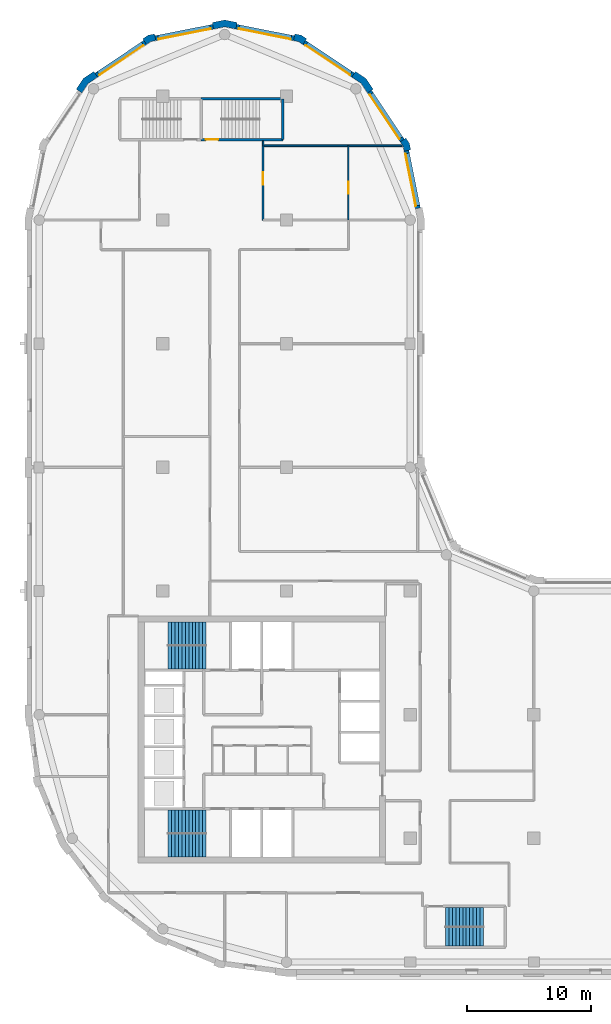
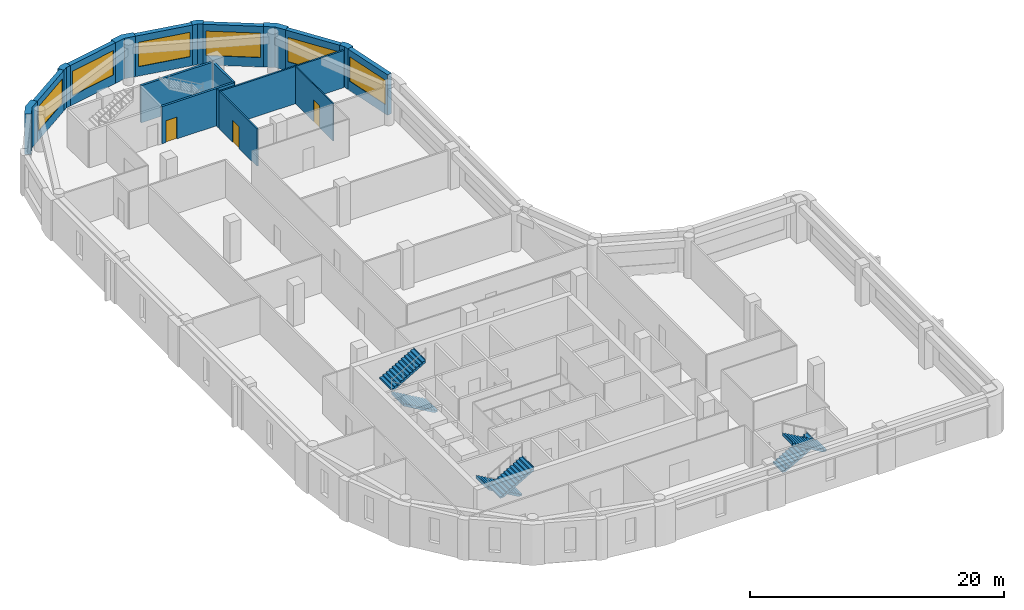
# One storey, part 6 of 9: 19 walls, 6 stair flights, 6 windows, 3 doors, 9 openings, 3 elements without a shape of their own.
"""IFC4 building model written with IfcOpenShell, lengths in metres."""

from ifc_helpers import new_model, si_unit, direction, frame, frame_2d, origin, place, context, subcontext, project, spatial, polyline, rectangle, outline, extrude, material, layer, layer_set, type_object, element, fill, aggregate, save


model = new_model("IFC4")

# Units and contexts
model_context = context("Model", 3, precision=1e-05, world=origin(), true_north=direction((0.0, 1.0)))
body_context = subcontext(model_context, "Body", "Model", "MODEL_VIEW")
ifc_project = project(units=[si_unit("LENGTHUNIT", "METRE"), si_unit("AREAUNIT", "SQUARE_METRE"), si_unit("VOLUMEUNIT", "CUBIC_METRE"), si_unit("PLANEANGLEUNIT", "RADIAN"), si_unit("MASSUNIT", "GRAM", prefix="KILO")], contexts=[model_context])

# Site, building, storey
site_placement = place(None, origin())
site = spatial("IfcSite", under=ifc_project, at=site_placement, CompositionType="ELEMENT")
building_placement = place(site_placement, origin())
building = spatial("IfcBuilding", under=site, at=building_placement, Name="Qaws Garden Tower", CompositionType="ELEMENT")
storey_placement = place(building_placement, frame((0.0, 0.0, 267.0)))
storey = spatial("IfcBuildingStorey", under=building, at=storey_placement, Name="L64", CompositionType="ELEMENT", Elevation=267.0)

# Wall, opening, window
ifc_material_1 = material(Name="Clay facing brick masonry", Category="masonry")
ifc_layer_1 = layer(ifc_material_1, 0.39990234375)
ifc_layer_set_1 = layer_set([ifc_layer_1], Name="Clay facing brick masonry")
wall_type_1 = type_object("IfcWallType", Name="Brick infill wall 400", PredefinedType="SOLIDWALL", material=ifc_layer_set_1)
wall_1_placement = place(storey_placement, frame((30.628662109375, 60.940673828125, 0.0), z_axis=(0.0, 0.0, 1.0), x_axis=(-0.195098533057, 0.98078364709, 0.0)))
wall_1 = element("IfcWall", 1, at=wall_1_placement, inside=storey, type_object=wall_type_1, Name="E-L64-infill-11", PredefinedType="SOLIDWALL", context=body_context, shape_type="SweptSolid", body=[
    extrude(rectangle(XDim=4.752685546875, YDim=0.39990234375, at=frame_2d((2.37646484375, 0.0))), origin(), (0.0, 0.0, 1.0), 3.89990234375),
])
opening_1_placement = place(wall_1_placement, frame((0.226318359375, 0.0, 0.89990234375)))
opening_1 = element("IfcOpeningElement", 2, at=opening_1_placement, cuts=wall_1, Name="Opening W06", PredefinedType="OPENING", context=body_context, shape_type="SweptSolid", body=[
    extrude(rectangle(XDim=4.300048828125, YDim=2.35009765625, at=frame_2d((2.14990234375, 1.175048828125))), frame((0.0, 0.2099609375, 0.0), z_axis=(0.0, -1.0, 0.0), x_axis=(1.0, 0.0, 0.0)), (0.0, 0.0, 1.0), 0.419921875),
])
ifc_material_2 = material(Name="Aluminium framed window, clear glazing", Category="aluminium")
window_type = type_object("IfcWindowType", Name="Ribbon window 4300 x 2350", PartitioningType="DOUBLE_PANEL_VERTICAL", PredefinedType="WINDOW", material=ifc_material_2)
window_1_placement = place(opening_1_placement, origin())
window_1 = element("IfcWindow", 3, at=window_1_placement, inside=storey, type_object=window_type, Name="E-L64-window-11-0", OverallHeight=2.35009765625, OverallWidth=4.300048828125, PartitioningType="SINGLE_PANEL", PredefinedType="WINDOW", context=body_context, shape_type="SweptSolid", body=[
    extrude(rectangle(XDim=4.300048828125, YDim=2.35009765625, at=frame_2d((2.14990234375, 1.175048828125))), frame((0.0, 0.159912109375, 0.0), z_axis=(0.0, -1.0, 0.0), x_axis=(1.0, 0.0, 0.0)), (0.0, 0.0, 1.0), 0.06005859375),
])
fill(opening_1, window_1)

wall_2_placement = place(storey_placement, frame((29.356689453125, 66.43408203125, 0.0), z_axis=(0.0, 0.0, 1.0), x_axis=(-0.555541552266, 0.831488775454, 0.0)))
wall_2 = element("IfcWall", 4, at=wall_2_placement, inside=storey, type_object=wall_type_1, Name="E-L64-infill-12", PredefinedType="SOLIDWALL", context=body_context, shape_type="SweptSolid", body=[
    extrude(rectangle(XDim=4.752685546875, YDim=0.39990234375, at=frame_2d((2.37646484375, 0.0))), origin(), (0.0, 0.0, 1.0), 3.89990234375),
])
opening_2_placement = place(wall_2_placement, frame((0.226318359375, 0.0, 0.89990234375)))
opening_2 = element("IfcOpeningElement", 5, at=opening_2_placement, cuts=wall_2, Name="Opening W06", PredefinedType="OPENING", context=body_context, shape_type="SweptSolid", body=[
    extrude(rectangle(XDim=4.300048828125, YDim=2.35009765625, at=frame_2d((2.14990234375, 1.175048828125))), frame((0.0, 0.2099609375, 0.0), z_axis=(0.0, -1.0, 0.0), x_axis=(1.0, 0.0, 0.0)), (0.0, 0.0, 1.0), 0.419921875),
])
window_2_placement = place(opening_2_placement, origin())
window_2 = element("IfcWindow", 6, at=window_2_placement, inside=storey, type_object=window_type, Name="E-L64-window-12-0", OverallHeight=2.35009765625, OverallWidth=4.300048828125, PartitioningType="SINGLE_PANEL", PredefinedType="WINDOW", context=body_context, shape_type="SweptSolid", body=[
    extrude(rectangle(XDim=4.300048828125, YDim=2.35009765625, at=frame_2d((2.14990234375, 1.175048828125))), frame((0.0, 0.159912109375, 0.0), z_axis=(0.0, -1.0, 0.0), x_axis=(1.0, 0.0, 0.0)), (0.0, 0.0, 1.0), 0.06005859375),
])
fill(opening_2, window_2)

wall_3_placement = place(storey_placement, frame((25.385986328125, 71.71630859375, 0.0), z_axis=(0.0, 0.0, 1.0), x_axis=(-0.831488775454, 0.555541552266, 0.0)))
wall_3 = element("IfcWall", 7, at=wall_3_placement, inside=storey, type_object=wall_type_1, Name="E-L64-infill-13", PredefinedType="SOLIDWALL", context=body_context, shape_type="SweptSolid", body=[
    extrude(rectangle(XDim=4.752685546875, YDim=0.39990234375, at=frame_2d((2.37646484375, 0.0))), origin(), (0.0, 0.0, 1.0), 3.89990234375),
])
opening_3_placement = place(wall_3_placement, frame((0.226318359375, 0.0, 0.89990234375)))
opening_3 = element("IfcOpeningElement", 8, at=opening_3_placement, cuts=wall_3, Name="Opening W06", PredefinedType="OPENING", context=body_context, shape_type="SweptSolid", body=[
    extrude(rectangle(XDim=4.300048828125, YDim=2.35009765625, at=frame_2d((2.14990234375, 1.175048828125))), frame((0.0, 0.2099609375, 0.0), z_axis=(0.0, -1.0, 0.0), x_axis=(1.0, 0.0, 0.0)), (0.0, 0.0, 1.0), 0.419921875),
])
window_3_placement = place(opening_3_placement, origin())
window_3 = element("IfcWindow", 9, at=window_3_placement, inside=storey, type_object=window_type, Name="E-L64-window-13-0", OverallHeight=2.35009765625, OverallWidth=4.300048828125, PartitioningType="SINGLE_PANEL", PredefinedType="WINDOW", context=body_context, shape_type="SweptSolid", body=[
    extrude(rectangle(XDim=4.300048828125, YDim=2.35009765625, at=frame_2d((2.14990234375, 1.175048828125))), frame((0.0, 0.159912109375, 0.0), z_axis=(0.0, -1.0, 0.0), x_axis=(1.0, 0.0, 0.0)), (0.0, 0.0, 1.0), 0.06005859375),
])
fill(opening_3, window_3)

wall_4_placement = place(storey_placement, frame((20.60205078125, 74.701416015625, 0.0), z_axis=(0.0, 0.0, 1.0), x_axis=(-0.98078364709, 0.195098533057, 0.0)))
wall_4 = element("IfcWall", 10, at=wall_4_placement, inside=storey, type_object=wall_type_1, Name="E-L64-infill-14", PredefinedType="SOLIDWALL", context=body_context, shape_type="SweptSolid", body=[
    extrude(rectangle(XDim=4.752685546875, YDim=0.39990234375, at=frame_2d((2.37646484375, 0.0))), origin(), (0.0, 0.0, 1.0), 3.89990234375),
])
opening_4_placement = place(wall_4_placement, frame((0.226318359375, 0.0, 0.89990234375)))
opening_4 = element("IfcOpeningElement", 11, at=opening_4_placement, cuts=wall_4, Name="Opening W06", PredefinedType="OPENING", context=body_context, shape_type="SweptSolid", body=[
    extrude(rectangle(XDim=4.300048828125, YDim=2.35009765625, at=frame_2d((2.14990234375, 1.175048828125))), frame((0.0, 0.2099609375, 0.0), z_axis=(0.0, -1.0, 0.0), x_axis=(1.0, 0.0, 0.0)), (0.0, 0.0, 1.0), 0.419921875),
])
window_4_placement = place(opening_4_placement, origin())
window_4 = element("IfcWindow", 12, at=window_4_placement, inside=storey, type_object=window_type, Name="E-L64-window-14-0", OverallHeight=2.35009765625, OverallWidth=4.300048828125, PartitioningType="SINGLE_PANEL", PredefinedType="WINDOW", context=body_context, shape_type="SweptSolid", body=[
    extrude(rectangle(XDim=4.300048828125, YDim=2.35009765625, at=frame_2d((2.14990234375, 1.175048828125))), frame((0.0, 0.159912109375, 0.0), z_axis=(0.0, -1.0, 0.0), x_axis=(1.0, 0.0, 0.0)), (0.0, 0.0, 1.0), 0.06005859375),
])
fill(opening_4, window_4)

wall_5_placement = place(storey_placement, frame((14.059326171875, 75.628662109375, 0.0), z_axis=(0.0, 0.0, 1.0), x_axis=(-0.98078364709, -0.195098533057, 0.0)))
wall_5 = element("IfcWall", 13, at=wall_5_placement, inside=storey, type_object=wall_type_1, Name="E-L64-infill-15", PredefinedType="SOLIDWALL", context=body_context, shape_type="SweptSolid", body=[
    extrude(rectangle(XDim=4.752685546875, YDim=0.39990234375, at=frame_2d((2.37646484375, 0.0))), origin(), (0.0, 0.0, 1.0), 3.89990234375),
])
opening_5_placement = place(wall_5_placement, frame((0.226318359375, 0.0, 0.89990234375)))
opening_5 = element("IfcOpeningElement", 14, at=opening_5_placement, cuts=wall_5, Name="Opening W06", PredefinedType="OPENING", context=body_context, shape_type="SweptSolid", body=[
    extrude(rectangle(XDim=4.300048828125, YDim=2.35009765625, at=frame_2d((2.14990234375, 1.175048828125))), frame((0.0, 0.2099609375, 0.0), z_axis=(0.0, -1.0, 0.0), x_axis=(1.0, 0.0, 0.0)), (0.0, 0.0, 1.0), 0.419921875),
])
window_5_placement = place(opening_5_placement, origin())
window_5 = element("IfcWindow", 15, at=window_5_placement, inside=storey, type_object=window_type, Name="E-L64-window-15-0", OverallHeight=2.35009765625, OverallWidth=4.300048828125, PartitioningType="SINGLE_PANEL", PredefinedType="WINDOW", context=body_context, shape_type="SweptSolid", body=[
    extrude(rectangle(XDim=4.300048828125, YDim=2.35009765625, at=frame_2d((2.14990234375, 1.175048828125))), frame((0.0, 0.159912109375, 0.0), z_axis=(0.0, -1.0, 0.0), x_axis=(1.0, 0.0, 0.0)), (0.0, 0.0, 1.0), 0.06005859375),
])
fill(opening_5, window_5)

wall_6_placement = place(storey_placement, frame((8.56591796875, 74.356689453125, 0.0), z_axis=(0.0, 0.0, 1.0), x_axis=(-0.831488775454, -0.555541552266, 0.0)))
wall_6 = element("IfcWall", 16, at=wall_6_placement, inside=storey, type_object=wall_type_1, Name="E-L64-infill-16", PredefinedType="SOLIDWALL", context=body_context, shape_type="SweptSolid", body=[
    extrude(rectangle(XDim=4.752685546875, YDim=0.39990234375, at=frame_2d((2.37646484375, 0.0))), origin(), (0.0, 0.0, 1.0), 3.89990234375),
])
opening_6_placement = place(wall_6_placement, frame((0.226318359375, 0.0, 0.89990234375)))
opening_6 = element("IfcOpeningElement", 17, at=opening_6_placement, cuts=wall_6, Name="Opening W06", PredefinedType="OPENING", context=body_context, shape_type="SweptSolid", body=[
    extrude(rectangle(XDim=4.300048828125, YDim=2.35009765625, at=frame_2d((2.14990234375, 1.175048828125))), frame((0.0, 0.2099609375, 0.0), z_axis=(0.0, -1.0, 0.0), x_axis=(1.0, 0.0, 0.0)), (0.0, 0.0, 1.0), 0.419921875),
])
window_6_placement = place(opening_6_placement, origin())
window_6 = element("IfcWindow", 18, at=window_6_placement, inside=storey, type_object=window_type, Name="E-L64-window-16-0", OverallHeight=2.35009765625, OverallWidth=4.300048828125, PartitioningType="SINGLE_PANEL", PredefinedType="WINDOW", context=body_context, shape_type="SweptSolid", body=[
    extrude(rectangle(XDim=4.300048828125, YDim=2.35009765625, at=frame_2d((2.14990234375, 1.175048828125))), frame((0.0, 0.159912109375, 0.0), z_axis=(0.0, -1.0, 0.0), x_axis=(1.0, 0.0, 0.0)), (0.0, 0.0, 1.0), 0.06005859375),
])
fill(opening_6, window_6)

# Walls
ifc_material_3 = material(Name="Clay facing brick masonry", Category="masonry")
ifc_layer_2 = layer(ifc_material_3, 0.550048828125)
ifc_layer_set_2 = layer_set([ifc_layer_2], Name="Clay facing brick masonry")
wall_type_2 = type_object("IfcWallType", Name="Brick kink pier 550 x 600", PredefinedType="SOLIDWALL", material=ifc_layer_set_2)
placement = place(storey_placement, origin())
element("IfcWall", 19, at=placement, inside=storey, type_object=wall_type_2, Name="E-L64-pier-12", PredefinedType="SOLIDWALL", context=body_context, shape_type="SweptSolid", body=[
    extrude(outline(polyline([(29.8974609375, 65.64111328125), (30.044677734375, 65.67041015625), (29.94140625, 66.18896484375), (29.647705078125, 66.628662109375), (29.52294921875, 66.545166015625), (29.1904296875, 66.322998046875), (29.42333984375, 65.974365234375), (29.505126953125, 65.56298828125), (29.8974609375, 65.64111328125)])), origin(), (0.0, 0.0, 1.0), 3.89990234375),
])
element("IfcWall", 20, at=placement, inside=storey, type_object=wall_type_2, Name="E-L64-pier-14", PredefinedType="SOLIDWALL", context=body_context, shape_type="SweptSolid", body=[
    extrude(outline(polyline([(21.545166015625, 74.52294921875), (21.628662109375, 74.647705078125), (21.18896484375, 74.94140625), (20.67041015625, 75.044677734375), (20.64111328125, 74.8974609375), (20.56298828125, 74.505126953125), (20.974365234375, 74.42333984375), (21.322998046875, 74.1904296875), (21.545166015625, 74.52294921875)])), origin(), (0.0, 0.0, 1.0), 3.89990234375),
])
element("IfcWall", 21, at=placement, inside=storey, type_object=wall_type_2, Name="E-L64-pier-16", PredefinedType="SOLIDWALL", context=body_context, shape_type="SweptSolid", body=[
    extrude(outline(polyline([(9.35888671875, 74.8974609375), (9.32958984375, 75.044677734375), (8.81103515625, 74.94140625), (8.371337890625, 74.647705078125), (8.454833984375, 74.52294921875), (8.677001953125, 74.1904296875), (9.025634765625, 74.42333984375), (9.43701171875, 74.505126953125), (9.35888671875, 74.8974609375)])), origin(), (0.0, 0.0, 1.0), 3.89990234375),
])
ifc_material_4 = material(Name="Clay facing brick masonry", Category="masonry")
ifc_layer_3 = layer(ifc_material_4, 0.550048828125)
ifc_layer_set_3 = layer_set([ifc_layer_3], Name="Clay facing brick masonry")
wall_type_3 = type_object("IfcWallType", Name="Brick pier 550 x 1600", PredefinedType="SOLIDWALL", material=ifc_layer_set_3)
element("IfcWall", 22, at=placement, inside=storey, type_object=wall_type_3, Name="E-L64-pier-13", PredefinedType="SOLIDWALL", context=body_context, shape_type="SweptSolid", body=[
    extrude(outline(polyline([(26.882568359375, 70.4970703125), (27.00732421875, 70.580322265625), (26.435791015625, 71.435791015625), (25.580322265625, 72.00732421875), (25.4970703125, 71.882568359375), (25.274658203125, 71.550048828125), (26.0390625, 71.0390625), (26.550048828125, 70.274658203125), (26.882568359375, 70.4970703125)])), origin(), (0.0, 0.0, 1.0), 3.89990234375),
])
element("IfcWall", 23, at=placement, inside=storey, type_object=wall_type_3, Name="E-L64-pier-15", PredefinedType="SOLIDWALL", context=body_context, shape_type="SweptSolid", body=[
    extrude(outline(polyline([(15.979736328125, 75.82470703125), (16.009033203125, 75.971923828125), (15.0, 76.172607421875), (13.990966796875, 75.971923828125), (14.020263671875, 75.82470703125), (14.098388671875, 75.432373046875), (15.0, 75.61181640625), (15.901611328125, 75.432373046875), (15.979736328125, 75.82470703125)])), origin(), (0.0, 0.0, 1.0), 3.89990234375),
])
element("IfcWall", 24, at=placement, inside=storey, type_object=wall_type_3, Name="E-L64-pier-17", PredefinedType="SOLIDWALL", context=body_context, shape_type="SweptSolid", body=[
    extrude(outline(polyline([(4.5029296875, 71.882568359375), (4.419677734375, 72.00732421875), (3.564208984375, 71.435791015625), (2.99267578125, 70.580322265625), (3.117431640625, 70.4970703125), (3.449951171875, 70.274658203125), (3.9609375, 71.0390625), (4.725341796875, 71.550048828125), (4.5029296875, 71.882568359375)])), origin(), (0.0, 0.0, 1.0), 3.89990234375),
])

# Wall, opening, door
ifc_material_5 = material(Name="Concrete C60", Category="concrete")
ifc_layer_4 = layer(ifc_material_5, 0.199951171875)
ifc_layer_set_4 = layer_set([ifc_layer_4], Name="Concrete C60")
wall_type_4 = type_object("IfcWallType", Name="Core shaft wall 200 C60", PredefinedType="SHEAR", material=ifc_layer_set_4)
wall_13_placement = place(storey_placement, frame((13.10009765625, 66.5, 0.0), z_axis=(0.0, 0.0, 1.0), x_axis=(1.0, 0.0, 0.0)))
wall_13 = element("IfcWall", 25, at=wall_13_placement, inside=storey, type_object=wall_type_4, Name="Shaft wall", PredefinedType="SHEAR", context=body_context, shape_type="SweptSolid", body=[
    extrude(rectangle(XDim=6.599853515625, YDim=0.199951171875, at=frame_2d((3.2998046875, 0.0))), origin(), (0.0, 0.0, 1.0), 3.580078125),
])
opening_7_placement = place(wall_13_placement, frame((0.375, 0.0, 0.0)))
opening_7 = element("IfcOpeningElement", 26, at=opening_7_placement, cuts=wall_13, Name="Opening SD14", PredefinedType="OPENING", context=body_context, shape_type="SweptSolid", body=[
    extrude(rectangle(XDim=1.0, YDim=2.10009765625, at=frame_2d((0.5, 1.050048828125))), frame((0.0, 0.10986328125, 0.0), z_axis=(0.0, -1.0, 0.0), x_axis=(1.0, 0.0, 0.0)), (0.0, 0.0, 1.0), 0.219970703125),
])
ifc_material_6 = material(Name="Steel S235", Category="steel")
door_type_1 = type_object("IfcDoorType", Name="Stair door 1000x2100", OperationType="SINGLE_SWING_RIGHT", PredefinedType="DOOR", material=ifc_material_6)
door_1_placement = place(opening_7_placement, origin())
door_1 = element("IfcDoor", 27, at=door_1_placement, inside=storey, type_object=door_type_1, Name="Stair 7 door", OperationType="SINGLE_SWING_LEFT", OverallHeight=2.10009765625, OverallWidth=1.0, PredefinedType="DOOR", context=body_context, shape_type="SweptSolid", body=[
    extrude(rectangle(XDim=1.0, YDim=2.10009765625, at=frame_2d((0.5, 1.050048828125))), frame((0.0, 0.02490234375, 0.0), z_axis=(0.0, -1.0, 0.0), x_axis=(1.0, 0.0, 0.0)), (0.0, 0.0, 1.0), 0.050048828125),
])
fill(opening_7, door_1)

# Walls
wall_14_placement = place(storey_placement, frame((13.10009765625, 69.800048828125, 0.0), z_axis=(0.0, 0.0, 1.0), x_axis=(1.0, 0.0, 0.0)))
element("IfcWall", 28, at=wall_14_placement, inside=storey, type_object=wall_type_4, Name="Shaft wall", PredefinedType="SHEAR", context=body_context, shape_type="SweptSolid", body=[
    extrude(rectangle(XDim=6.599853515625, YDim=0.199951171875, at=frame_2d((3.2998046875, 0.0))), origin(), (0.0, 0.0, 1.0), 3.580078125),
])
wall_15_placement = place(storey_placement, frame((19.699951171875, 66.5, 0.0), z_axis=(0.0, 0.0, 1.0), x_axis=(0.0, 1.0, 0.0)))
element("IfcWall", 29, at=wall_15_placement, inside=storey, type_object=wall_type_4, Name="Shaft wall", PredefinedType="SHEAR", context=body_context, shape_type="SweptSolid", body=[
    extrude(rectangle(XDim=3.300048828125, YDim=0.199951171875, at=frame_2d((1.64990234375, 0.0))), origin(), (0.0, 0.0, 1.0), 3.580078125),
])
ifc_material_7 = material(Name="Glass and aluminium framing", Category="aluminium")
ifc_layer_5 = layer(ifc_material_7, 0.1201171875)
ifc_layer_set_5 = layer_set([ifc_layer_5], Name="Glass and aluminium framing")
wall_type_5 = type_object("IfcWallType", Name="GLAZED PARTITION 120 EI 30", PredefinedType="PARTITIONING", material=ifc_layer_set_5)
wall_16_placement = place(storey_placement, frame((18.10009765625, 66.0, 0.0), z_axis=(0.0, 0.0, 1.0), x_axis=(0.0, 1.0, 0.0)))
element("IfcWall", 30, at=wall_16_placement, inside=storey, type_object=wall_type_5, Name="O-L64-wall-043", PredefinedType="PARTITIONING", context=body_context, shape_type="SweptSolid", body=[
    extrude(rectangle(XDim=0.39990234375, YDim=0.1201171875, at=frame_2d((0.199951171875, 0.0))), origin(), (0.0, 0.0, 1.0), 3.580078125),
])

# Wall, opening, door
ifc_material_8 = material(Name="Gypsum board partition")
ifc_layer_6 = layer(ifc_material_8, 0.10009765625)
ifc_layer_set_6 = layer_set([ifc_layer_6], Name="Gypsum board partition")
wall_type_6 = type_object("IfcWallType", Name="PARTITION 100", PredefinedType="PARTITIONING", material=ifc_layer_set_6)
wall_17_placement = place(storey_placement, frame((25.0, 60.0, 0.0), z_axis=(0.0, 0.0, 1.0), x_axis=(0.0, 1.0, 0.0)))
wall_17 = element("IfcWall", 31, at=wall_17_placement, inside=storey, type_object=wall_type_6, Name="O-L64-wall-001", PredefinedType="PARTITIONING", context=body_context, shape_type="SweptSolid", body=[
    extrude(rectangle(XDim=6.0, YDim=0.10009765625, at=frame_2d((3.0, 0.0))), origin(), (0.0, 0.0, 1.0), 3.580078125),
])
opening_8_placement = place(wall_17_placement, frame((2.125, 0.0, 0.0)))
opening_8 = element("IfcOpeningElement", 32, at=opening_8_placement, cuts=wall_17, Name="Opening C219", PredefinedType="OPENING", context=body_context, shape_type="SweptSolid", body=[
    extrude(rectangle(XDim=0.949951171875, YDim=2.10009765625, at=frame_2d((0.47509765625, 1.050048828125))), frame((0.0, 0.06005859375, 0.0), z_axis=(0.0, -1.0, 0.0), x_axis=(1.0, 0.0, 0.0)), (0.0, 0.0, 1.0), 0.1201171875),
])
ifc_material_9 = material(Name="Timber and glass door leaf", Category="wood")
door_type_2 = type_object("IfcDoorType", Name="GLAZED DOOR 950 X 2100", OperationType="SINGLE_SWING_LEFT", PredefinedType="DOOR", material=ifc_material_9)
door_2_placement = place(opening_8_placement, frame((0.949951171875, 0.0, 0.0), z_axis=(0.0, 0.0, 1.0), x_axis=(-1.0, 0.0, 0.0)))
door_2 = element("IfcDoor", 33, at=door_2_placement, inside=storey, type_object=door_type_2, Name="O-L64-door-019", OperationType="SINGLE_SWING_RIGHT", OverallHeight=2.10009765625, OverallWidth=0.949951171875, PredefinedType="DOOR", context=body_context, shape_type="SweptSolid", body=[
    extrude(rectangle(XDim=0.949951171875, YDim=2.10009765625, at=frame_2d((0.47509765625, 1.050048828125))), frame((0.0, 0.02490234375, 0.0), z_axis=(0.0, -1.0, 0.0), x_axis=(1.0, 0.0, 0.0)), (0.0, 0.0, 1.0), 0.050048828125),
])
fill(opening_8, door_2)

ifc_material_10 = material(Name="Gypsum board partition")
ifc_layer_7 = layer(ifc_material_10, 0.14990234375)
ifc_layer_set_7 = layer_set([ifc_layer_7], Name="Gypsum board partition")
wall_type_7 = type_object("IfcWallType", Name="PARTITION 150 EI 60", PredefinedType="PARTITIONING", material=ifc_layer_set_7)
wall_18_placement = place(storey_placement, frame((18.10009765625, 60.0, 0.0), z_axis=(0.0, 0.0, 1.0), x_axis=(0.0, 1.0, 0.0)))
wall_18 = element("IfcWall", 34, at=wall_18_placement, inside=storey, type_object=wall_type_7, Name="O-L64-wall-009", PredefinedType="PARTITIONING", context=body_context, shape_type="SweptSolid", body=[
    extrude(rectangle(XDim=6.0, YDim=0.14990234375, at=frame_2d((3.0, 0.0))), origin(), (0.0, 0.0, 1.0), 3.580078125),
])
opening_9_placement = place(wall_18_placement, frame((2.85009765625, 0.0, 0.0)))
opening_9 = element("IfcOpeningElement", 35, at=opening_9_placement, cuts=wall_18, Name="Opening C209", PredefinedType="OPENING", context=body_context, shape_type="SweptSolid", body=[
    extrude(rectangle(XDim=1.0, YDim=2.10009765625, at=frame_2d((0.5, 1.050048828125))), frame((0.0, 0.0849609375, 0.0), z_axis=(0.0, -1.0, 0.0), x_axis=(1.0, 0.0, 0.0)), (0.0, 0.0, 1.0), 0.169921875),
])
ifc_material_11 = material(Name="Timber door leaf", Category="wood")
door_type_3 = type_object("IfcDoorType", Name="TENANCY ENTRANCE DOOR 1000 X 2100", OperationType="SINGLE_SWING_LEFT", PredefinedType="DOOR", material=ifc_material_11)
door_3_placement = place(opening_9_placement, frame((1.0, 0.0, 0.0), z_axis=(0.0, 0.0, 1.0), x_axis=(-1.0, 0.0, 0.0)))
door_3 = element("IfcDoor", 36, at=door_3_placement, inside=storey, type_object=door_type_3, Name="O-L64-door-009", OperationType="SINGLE_SWING_RIGHT", OverallHeight=2.10009765625, OverallWidth=1.0, PredefinedType="DOOR", context=body_context, shape_type="SweptSolid", body=[
    extrude(rectangle(XDim=1.0, YDim=2.10009765625, at=frame_2d((0.5, 1.050048828125))), frame((0.0, 0.02490234375, 0.0), z_axis=(0.0, -1.0, 0.0), x_axis=(1.0, 0.0, 0.0)), (0.0, 0.0, 1.0), 0.050048828125),
])
fill(opening_9, door_3)

# Wall
wall_19_placement = place(storey_placement, frame((18.10009765625, 66.0, 0.0), z_axis=(0.0, 0.0, 1.0), x_axis=(1.0, 0.0, 0.0)))
element("IfcWall", 37, at=wall_19_placement, inside=storey, type_object=wall_type_7, Name="O-L64-wall-038", PredefinedType="PARTITIONING", context=body_context, shape_type="SweptSolid", body=[
    extrude(rectangle(XDim=11.256103515625, YDim=0.14990234375, at=frame_2d((5.6279296875, 0.0))), origin(), (0.0, 0.0, 1.0), 3.580078125),
])

# Stair, stair flights
ifc_material_12 = material(Name="Concrete C40", Category="concrete")
stair_type_1 = type_object("IfcStairType", Name="Exit stair 1350", PredefinedType="HALF_TURN_STAIR", material=ifc_material_12)
stair_1 = element("IfcStair", 38, at=placement, inside=storey, type_object=stair_type_1, Name="Stair 5", PredefinedType="HALF_TURN_STAIR")
ifc_material_13 = material(Name="Concrete C40", Category="concrete")
stair_flight_type_1 = type_object("IfcStairFlightType", Name="Stair flight 1350", PredefinedType="STRAIGHT", material=ifc_material_13)
stair_flight_1_placement = place(storey_placement, frame((32.85009765625, 3.625, 0.0), z_axis=(0.0, 0.0, 1.0), x_axis=(1.0, 0.0, 0.0)))
stair_flight_1 = element("IfcStairFlight", 39, at=stair_flight_1_placement, type_object=stair_flight_type_1, Name="ST5 flight 1", NumberOfRisers=12, NumberOfTreads=11, PredefinedType="STRAIGHT", RiserHeight=0.1625, TreadLength=0.28, context=body_context, shape_type="SweptSolid", body=[
    extrude(outline(polyline([(-0.0029296875, 0.0), (-0.0029296875, 0.16259765625), (0.0, 0.16259765625), (0.280029296875, 0.16259765625), (0.280029296875, 0.324951171875), (0.56005859375, 0.324951171875), (0.56005859375, 0.487548828125), (0.840087890625, 0.487548828125), (0.840087890625, 0.64990234375), (1.1201171875, 0.64990234375), (1.1201171875, 0.8125), (1.39990234375, 0.8125), (1.39990234375, 0.97509765625), (1.679931640625, 0.97509765625), (1.679931640625, 1.137451171875), (1.9599609375, 1.137451171875), (1.9599609375, 1.300048828125), (2.239990234375, 1.300048828125), (2.239990234375, 1.46240234375), (2.52001953125, 1.46240234375), (2.52001953125, 1.625), (2.800048828125, 1.625), (2.800048828125, 1.78759765625), (3.080078125, 1.78759765625), (3.080078125, 1.949951171875), (3.0830078125, 1.949951171875), (3.0830078125, 1.6142578125), (3.080078125, 1.6142578125), (0.298583984375, 0.0), (-0.0029296875, 0.0)])), frame((0.0, 0.77490234375, 0.0), z_axis=(0.0, -1.0, 0.0), x_axis=(1.0, 0.0, 0.0)), (0.0, 0.0, 1.0), 1.550048828125),
])
stair_flight_2_placement = place(storey_placement, frame((35.929931640625, 2.074951171875, 1.949951171875), z_axis=(0.0, 0.0, 1.0), x_axis=(-1.0, 0.0, 0.0)))
stair_flight_2 = element("IfcStairFlight", 40, at=stair_flight_2_placement, type_object=stair_flight_type_1, Name="ST5 flight 2", NumberOfRisers=12, NumberOfTreads=11, PredefinedType="STRAIGHT", RiserHeight=0.1625, TreadLength=0.28, context=body_context, shape_type="SweptSolid", body=[
    extrude(outline(polyline([(-0.0029296875, 0.0), (-0.0029296875, 0.16259765625), (0.0, 0.16259765625), (0.280029296875, 0.16259765625), (0.280029296875, 0.324951171875), (0.56005859375, 0.324951171875), (0.56005859375, 0.487548828125), (0.840087890625, 0.487548828125), (0.840087890625, 0.64990234375), (1.1201171875, 0.64990234375), (1.1201171875, 0.8125), (1.39990234375, 0.8125), (1.39990234375, 0.97509765625), (1.679931640625, 0.97509765625), (1.679931640625, 1.137451171875), (1.9599609375, 1.137451171875), (1.9599609375, 1.300048828125), (2.239990234375, 1.300048828125), (2.239990234375, 1.46240234375), (2.52001953125, 1.46240234375), (2.52001953125, 1.625), (2.800048828125, 1.625), (2.800048828125, 1.78759765625), (3.080078125, 1.78759765625), (3.080078125, 1.949951171875), (3.0830078125, 1.949951171875), (3.0830078125, 1.6142578125), (3.080078125, 1.6142578125), (0.298583984375, 0.0), (-0.0029296875, 0.0)])), frame((0.0, 0.77490234375, 0.0), z_axis=(0.0, -1.0, 0.0), x_axis=(1.0, 0.0, 0.0)), (0.0, 0.0, 1.0), 1.550048828125),
])
aggregate(stair_1, [stair_flight_1, stair_flight_2])

ifc_material_14 = material(Name="Concrete C40", Category="concrete")
stair_type_2 = type_object("IfcStairType", Name="Exit stair 1500", PredefinedType="HALF_TURN_STAIR", material=ifc_material_14)
stair_2 = element("IfcStair", 41, at=placement, inside=storey, type_object=stair_type_2, Name="Stair 1", PredefinedType="HALF_TURN_STAIR")
ifc_material_15 = material(Name="Concrete C40", Category="concrete")
stair_flight_type_2 = type_object("IfcStairFlightType", Name="Stair flight 1500", PredefinedType="STRAIGHT", material=ifc_material_15)
stair_flight_3_placement = place(storey_placement, frame((13.5, 11.35009765625, 0.0), z_axis=(0.0, 0.0, 1.0), x_axis=(-1.0, 0.0, 0.0)))
stair_flight_3 = element("IfcStairFlight", 42, at=stair_flight_3_placement, type_object=stair_flight_type_2, Name="ST1 flight 1", NumberOfRisers=12, NumberOfTreads=11, PredefinedType="STRAIGHT", RiserHeight=0.1625, TreadLength=0.28, context=body_context, shape_type="SweptSolid", body=[
    extrude(outline(polyline([(-0.0029296875, 0.0), (-0.0029296875, 0.16259765625), (0.0, 0.16259765625), (0.280029296875, 0.16259765625), (0.280029296875, 0.324951171875), (0.56005859375, 0.324951171875), (0.56005859375, 0.487548828125), (0.840087890625, 0.487548828125), (0.840087890625, 0.64990234375), (1.1201171875, 0.64990234375), (1.1201171875, 0.8125), (1.39990234375, 0.8125), (1.39990234375, 0.97509765625), (1.679931640625, 0.97509765625), (1.679931640625, 1.137451171875), (1.9599609375, 1.137451171875), (1.9599609375, 1.300048828125), (2.239990234375, 1.300048828125), (2.239990234375, 1.46240234375), (2.52001953125, 1.46240234375), (2.52001953125, 1.625), (2.800048828125, 1.625), (2.800048828125, 1.78759765625), (3.080078125, 1.78759765625), (3.080078125, 1.949951171875), (3.0830078125, 1.949951171875), (3.0830078125, 1.6142578125), (3.080078125, 1.6142578125), (0.298583984375, 0.0), (-0.0029296875, 0.0)])), frame((0.0, 0.949951171875, 0.0), z_axis=(0.0, -1.0, 0.0), x_axis=(1.0, 0.0, 0.0)), (0.0, 0.0, 1.0), 1.89990234375),
])
stair_flight_4_placement = place(storey_placement, frame((10.419921875, 9.449951171875, 1.949951171875), z_axis=(0.0, 0.0, 1.0), x_axis=(1.0, 0.0, 0.0)))
stair_flight_4 = element("IfcStairFlight", 43, at=stair_flight_4_placement, type_object=stair_flight_type_2, Name="ST1 flight 2", NumberOfRisers=12, NumberOfTreads=11, PredefinedType="STRAIGHT", RiserHeight=0.1625, TreadLength=0.28, context=body_context, shape_type="SweptSolid", body=[
    extrude(outline(polyline([(-0.0029296875, 0.0), (-0.0029296875, 0.16259765625), (0.0, 0.16259765625), (0.280029296875, 0.16259765625), (0.280029296875, 0.324951171875), (0.56005859375, 0.324951171875), (0.56005859375, 0.487548828125), (0.840087890625, 0.487548828125), (0.840087890625, 0.64990234375), (1.1201171875, 0.64990234375), (1.1201171875, 0.8125), (1.39990234375, 0.8125), (1.39990234375, 0.97509765625), (1.679931640625, 0.97509765625), (1.679931640625, 1.137451171875), (1.9599609375, 1.137451171875), (1.9599609375, 1.300048828125), (2.239990234375, 1.300048828125), (2.239990234375, 1.46240234375), (2.52001953125, 1.46240234375), (2.52001953125, 1.625), (2.800048828125, 1.625), (2.800048828125, 1.78759765625), (3.080078125, 1.78759765625), (3.080078125, 1.949951171875), (3.0830078125, 1.949951171875), (3.0830078125, 1.6142578125), (3.080078125, 1.6142578125), (0.298583984375, 0.0), (-0.0029296875, 0.0)])), frame((0.0, 0.949951171875, 0.0), z_axis=(0.0, -1.0, 0.0), x_axis=(1.0, 0.0, 0.0)), (0.0, 0.0, 1.0), 1.89990234375),
])
aggregate(stair_2, [stair_flight_3, stair_flight_4])

stair_3 = element("IfcStair", 44, at=placement, inside=storey, type_object=stair_type_2, Name="Stair 4", PredefinedType="HALF_TURN_STAIR")
stair_flight_5_placement = place(storey_placement, frame((13.5, 24.64990234375, 0.0), z_axis=(0.0, 0.0, 1.0), x_axis=(-1.0, 0.0, 0.0)))
stair_flight_5 = element("IfcStairFlight", 45, at=stair_flight_5_placement, type_object=stair_flight_type_2, Name="ST4 flight 1", NumberOfRisers=12, NumberOfTreads=11, PredefinedType="STRAIGHT", RiserHeight=0.1625, TreadLength=0.28, context=body_context, shape_type="SweptSolid", body=[
    extrude(outline(polyline([(-0.0029296875, 0.0), (-0.0029296875, 0.16259765625), (0.0, 0.16259765625), (0.280029296875, 0.16259765625), (0.280029296875, 0.324951171875), (0.56005859375, 0.324951171875), (0.56005859375, 0.487548828125), (0.840087890625, 0.487548828125), (0.840087890625, 0.64990234375), (1.1201171875, 0.64990234375), (1.1201171875, 0.8125), (1.39990234375, 0.8125), (1.39990234375, 0.97509765625), (1.679931640625, 0.97509765625), (1.679931640625, 1.137451171875), (1.9599609375, 1.137451171875), (1.9599609375, 1.300048828125), (2.239990234375, 1.300048828125), (2.239990234375, 1.46240234375), (2.52001953125, 1.46240234375), (2.52001953125, 1.625), (2.800048828125, 1.625), (2.800048828125, 1.78759765625), (3.080078125, 1.78759765625), (3.080078125, 1.949951171875), (3.0830078125, 1.949951171875), (3.0830078125, 1.6142578125), (3.080078125, 1.6142578125), (0.298583984375, 0.0), (-0.0029296875, 0.0)])), frame((0.0, 0.94482421875, 0.0), z_axis=(0.0, -1.0, 0.0), x_axis=(1.0, 0.0, 0.0)), (0.0, 0.0, 1.0), 1.889892578125),
])
stair_flight_6_placement = place(storey_placement, frame((10.419921875, 26.550048828125, 1.949951171875), z_axis=(0.0, 0.0, 1.0), x_axis=(1.0, 0.0, 0.0)))
stair_flight_6 = element("IfcStairFlight", 46, at=stair_flight_6_placement, type_object=stair_flight_type_2, Name="ST4 flight 2", NumberOfRisers=12, NumberOfTreads=11, PredefinedType="STRAIGHT", RiserHeight=0.1625, TreadLength=0.28, context=body_context, shape_type="SweptSolid", body=[
    extrude(outline(polyline([(-0.0029296875, 0.0), (-0.0029296875, 0.16259765625), (0.0, 0.16259765625), (0.280029296875, 0.16259765625), (0.280029296875, 0.324951171875), (0.56005859375, 0.324951171875), (0.56005859375, 0.487548828125), (0.840087890625, 0.487548828125), (0.840087890625, 0.64990234375), (1.1201171875, 0.64990234375), (1.1201171875, 0.8125), (1.39990234375, 0.8125), (1.39990234375, 0.97509765625), (1.679931640625, 0.97509765625), (1.679931640625, 1.137451171875), (1.9599609375, 1.137451171875), (1.9599609375, 1.300048828125), (2.239990234375, 1.300048828125), (2.239990234375, 1.46240234375), (2.52001953125, 1.46240234375), (2.52001953125, 1.625), (2.800048828125, 1.625), (2.800048828125, 1.78759765625), (3.080078125, 1.78759765625), (3.080078125, 1.949951171875), (3.0830078125, 1.949951171875), (3.0830078125, 1.6142578125), (3.080078125, 1.6142578125), (0.298583984375, 0.0), (-0.0029296875, 0.0)])), frame((0.0, 0.94482421875, 0.0), z_axis=(0.0, -1.0, 0.0), x_axis=(1.0, 0.0, 0.0)), (0.0, 0.0, 1.0), 1.889892578125),
])
aggregate(stair_3, [stair_flight_5, stair_flight_6])

save(model, "model.ifc")
